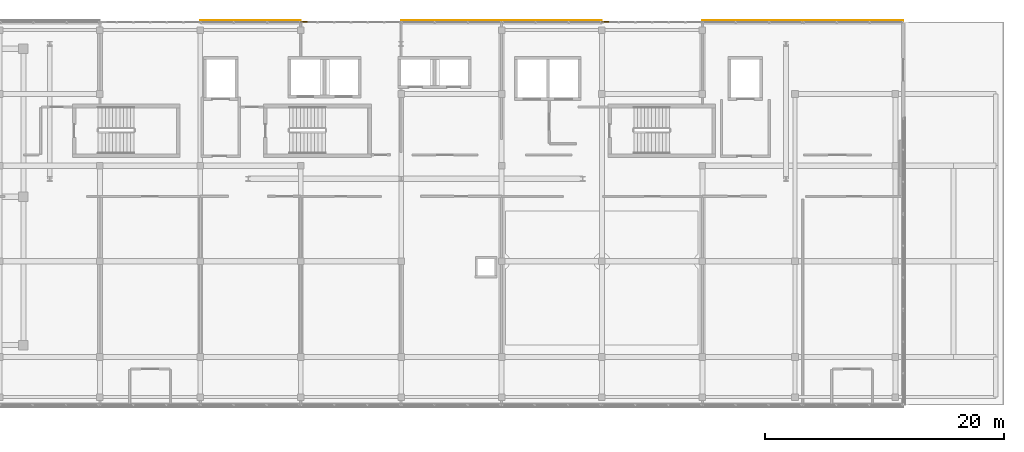
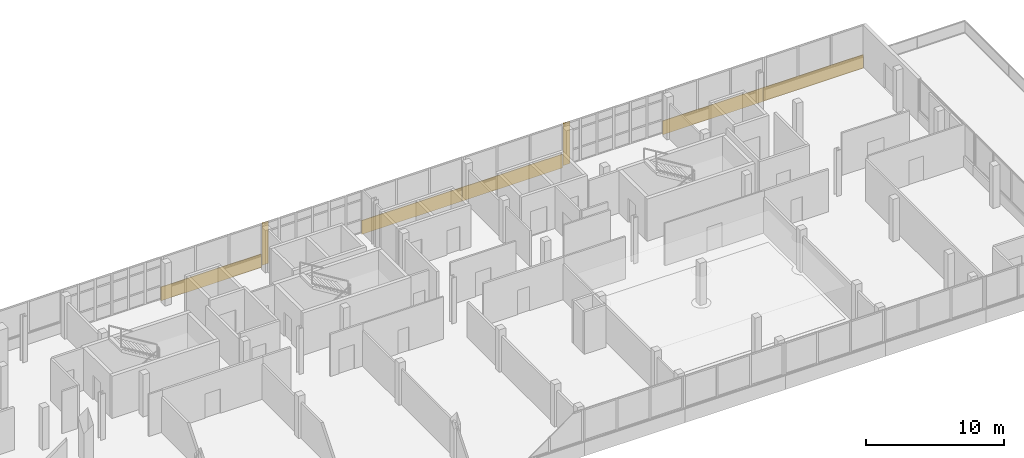
# One storey, part 66 of 67: 7 coverings.
"""IFC4 building model written with IfcOpenShell, lengths in metres."""

from ifc_helpers import new_model, si_unit, direction, frame, origin, origin_2d, place, context, subcontext, project, spatial, rectangle, extrude, material, layer, layer_set, type_object, element, save


model = new_model("IFC4")

# Units and contexts
model_context = context("Model", 3, precision=1e-05, world=origin(), true_north=direction((0.0, 1.0)))
body_context = subcontext(model_context, "Body", "Model", "MODEL_VIEW")
ifc_project = project(units=[si_unit("LENGTHUNIT", "METRE"), si_unit("AREAUNIT", "SQUARE_METRE"), si_unit("VOLUMEUNIT", "CUBIC_METRE"), si_unit("PLANEANGLEUNIT", "RADIAN"), si_unit("MASSUNIT", "GRAM", prefix="KILO")], contexts=[model_context])

# Site, building, storey
site_placement = place(None, origin())
site = spatial("IfcSite", under=ifc_project, at=site_placement, CompositionType="ELEMENT")
building_placement = place(site_placement, origin())
building = spatial("IfcBuilding", under=site, at=building_placement, Name="Selatvlak General Hospital", CompositionType="ELEMENT")
storey_placement = place(building_placement, frame((0.0, 0.0, 35.39990234375)))
storey = spatial("IfcBuildingStorey", under=building, at=storey_placement, Name="L08", CompositionType="ELEMENT", Elevation=35.39990234375)

# Coverings
ifc_material = material(Name="White Bauhaus fair-faced cladding panel")
ifc_layer = layer(ifc_material, 0.054931640625, Name="White Bauhaus fair-faced cladding panel")
ifc_layer_set = layer_set([ifc_layer], Name="White Bauhaus fair-faced cladding panel")
covering_type = type_object("IfcCoveringType", Name="COV-WHT1", PredefinedType="CLADDING", material=ifc_layer_set)
covering_1_placement = place(storey_placement, frame((102.59912109375, 120.1650390625, -0.27978515625), z_axis=(0.0, 0.0, 1.0), x_axis=(1.0, 0.0, 0.0)))
element("IfcCovering", 1, at=covering_1_placement, inside=storey, type_object=covering_type, Name="L08 Bauhaus horizontal white spandrel band 0545", PredefinedType="CLADDING", context=body_context, shape_type="SweptSolid", body=[
    extrude(rectangle(XDim=8.39990234375, YDim=0.054931640625, at=origin_2d()), origin(), (0.0, 0.0, 1.0), 1.219970703125),
])
covering_2_placement = place(storey_placement, frame((107.073974609375, 120.044921875, 0.0), z_axis=(0.0, 0.0, 1.0), x_axis=(1.0, 0.0, 0.0)))
element("IfcCovering", 2, at=covering_2_placement, inside=storey, type_object=covering_type, Name="L08 Bauhaus vertical core pilaster 0546", PredefinedType="CLADDING", context=body_context, shape_type="SweptSolid", body=[
    extrude(rectangle(XDim=0.550048828125, YDim=0.054931640625, at=origin_2d()), origin(), (0.0, 0.0, 1.0), 3.739990234375),
])
for number, where, z_axis, x_axis, name in (
    (3, (119.39892578125, 120.1650390625, -0.27978515625), (0.0, 0.0, 1.0), (1.0, 0.0, 0.0), "L08 Bauhaus horizontal white spandrel band 0547"),
    (4, (127.799072265625, 120.1650390625, -0.27978515625), (0.0, 0.0, 1.0), (1.0, 0.0, 0.0), "L08 Bauhaus horizontal white spandrel band 0548"),
):
    element("IfcCovering", number, at=place(storey_placement, frame(where, z_axis=z_axis, x_axis=x_axis)), inside=storey, type_object=covering_type, Name=name, PredefinedType="CLADDING", context=body_context, shape_type="SweptSolid", body=[
        extrude(rectangle(XDim=8.39990234375, YDim=0.054931640625, at=origin_2d()), origin(), (0.0, 0.0, 1.0), 1.219970703125),
    ])
covering_3_placement = place(storey_placement, frame((132.27392578125, 120.044921875, 0.0), z_axis=(0.0, 0.0, 1.0), x_axis=(1.0, 0.0, 0.0)))
element("IfcCovering", 5, at=covering_3_placement, inside=storey, type_object=covering_type, Name="L08 Bauhaus vertical core pilaster 0549", PredefinedType="CLADDING", context=body_context, shape_type="SweptSolid", body=[
    extrude(rectangle(XDim=0.550048828125, YDim=0.054931640625, at=origin_2d()), origin(), (0.0, 0.0, 1.0), 3.739990234375),
])
for number, where, z_axis, x_axis, name in (
    (6, (144.59912109375, 120.1650390625, -0.27978515625), (0.0, 0.0, 1.0), (1.0, 0.0, 0.0), "L08 Bauhaus horizontal white spandrel band 0550"),
    (7, (152.9990234375, 120.1650390625, -0.27978515625), (0.0, 0.0, 1.0), (1.0, 0.0, 0.0), "L08 Bauhaus horizontal white spandrel band 0551"),
):
    element("IfcCovering", number, at=place(storey_placement, frame(where, z_axis=z_axis, x_axis=x_axis)), inside=storey, type_object=covering_type, Name=name, PredefinedType="CLADDING", context=body_context, shape_type="SweptSolid", body=[
        extrude(rectangle(XDim=8.39990234375, YDim=0.054931640625, at=origin_2d()), origin(), (0.0, 0.0, 1.0), 1.219970703125),
    ])

save(model, "model.ifc")
